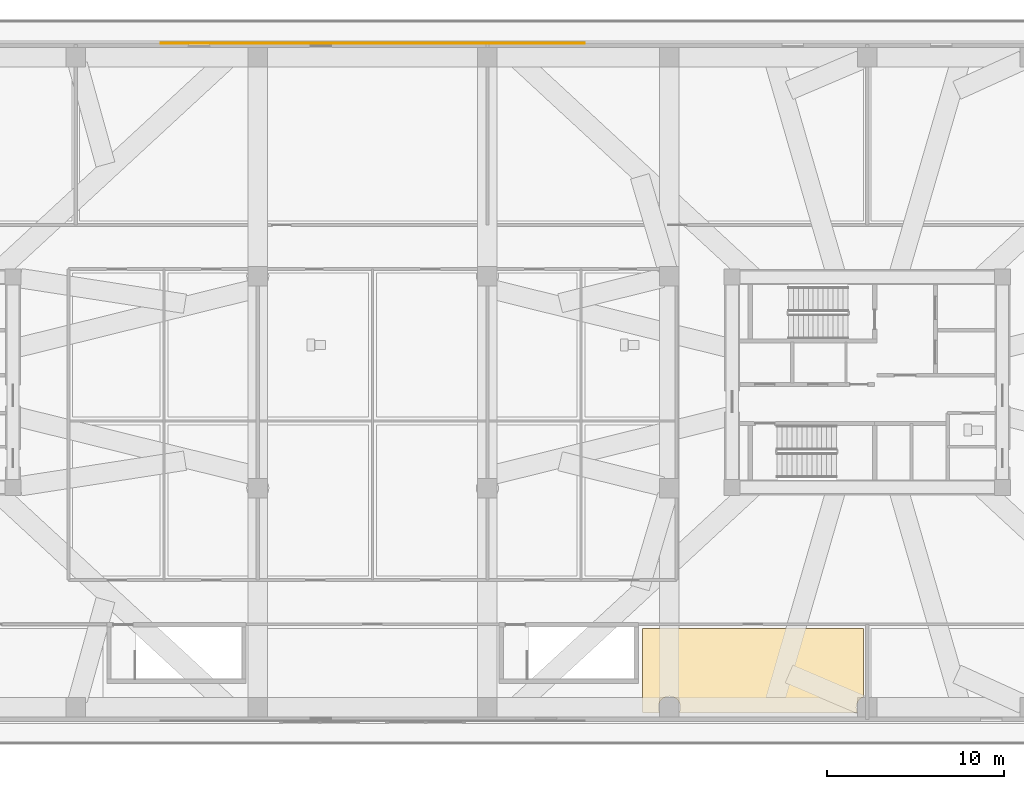
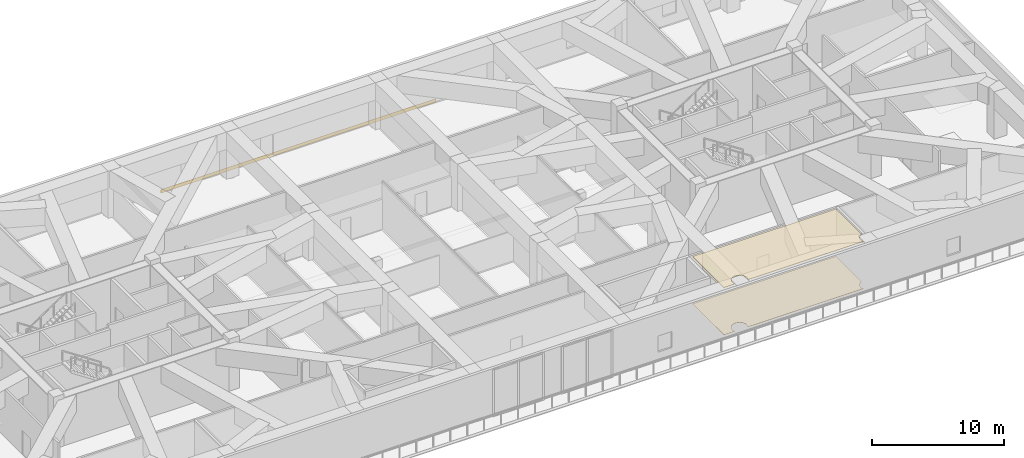
# One storey, part 18 of 21: 3 coverings.
"""IFC4 building model written with IfcOpenShell, lengths in metres."""

from ifc_helpers import new_model, si_unit, direction, frame, origin, origin_2d, place, context, subcontext, project, spatial, polyline, rectangle, outline, extrude, source, transform, mapped, material, layer, layer_set, type_object, type_shapes, element, save


model = new_model("IFC4")

# Units and contexts
model_context = context("Model", 3, precision=1e-05, world=origin(), true_north=direction((0.0, 1.0)))
body_context = subcontext(model_context, "Body", "Model", "MODEL_VIEW")
ifc_project = project(units=[si_unit("LENGTHUNIT", "METRE"), si_unit("AREAUNIT", "SQUARE_METRE"), si_unit("VOLUMEUNIT", "CUBIC_METRE"), si_unit("PLANEANGLEUNIT", "RADIAN"), si_unit("MASSUNIT", "GRAM", prefix="KILO")], contexts=[model_context])

# Site, building, storey
site_placement = place(None, origin())
site = spatial("IfcSite", under=ifc_project, at=site_placement, CompositionType="ELEMENT")
building_placement = place(site_placement, origin())
building = spatial("IfcBuilding", under=site, at=building_placement, Name="Norrkilde Senior Care Towers", CompositionType="ELEMENT")
storey_placement = place(building_placement, frame((0.0, 0.0, 16.800048828125)))
storey = spatial("IfcBuildingStorey", under=building, at=storey_placement, Name="L04", CompositionType="ELEMENT", Elevation=16.800048828125)

# Coverings
ifc_material_1 = material(Name="Nordic Ash Timber", Category="wood")
ifc_layer_1 = layer(ifc_material_1, 0.044921875)
ifc_layer_set_1 = layer_set([ifc_layer_1], Name="Nordic Ash Timber")
covering_type_1 = type_object("IfcCoveringType", Name="Acoustic Ash Timber Slatted Ceiling 45", PredefinedType="CEILING", material=ifc_layer_set_1)
covering_1_placement = place(storey_placement, frame((0.0, 0.0, 4.3349609375)))
element("IfcCovering", 1, at=covering_1_placement, inside=storey, type_object=covering_type_1, Name="L04 Suspended Ceiling 0120", PredefinedType="CEILING", context=body_context, shape_type="SweptSolid", body=[
    extrude(outline(polyline([(17.360107421875, -18.679931640625), (17.408447265625, -18.56298828125), (17.429931640625, -18.39990234375), (17.408447265625, -18.237060546875), (17.345703125, -18.0849609375), (17.245361328125, -17.95458984375), (17.114990234375, -17.8544921875), (16.963134765625, -17.79150390625), (16.800048828125, -17.77001953125), (16.636962890625, -17.79150390625), (16.485107421875, -17.8544921875), (16.3544921875, -17.95458984375), (16.25439453125, -18.0849609375), (16.19140625, -18.237060546875), (16.169921875, -18.39990234375), (16.19140625, -18.56298828125), (16.239990234375, -18.679931640625), (15.27001953125, -18.679931640625), (15.27001953125, -13.93994140625), (27.780029296875, -13.93994140625), (27.780029296875, -17.81494140625), (27.68505859375, -17.8544921875), (27.554443359375, -17.95458984375), (27.454345703125, -18.0849609375), (27.391357421875, -18.237060546875), (27.3701171875, -18.39990234375), (27.391357421875, -18.56298828125), (27.43994140625, -18.679931640625), (17.360107421875, -18.679931640625)])), origin(), (0.0, 0.0, 1.0), 0.044921875),
])
ifc_material_2 = material(Name="Slip-Resistant Porcelain Stone", Category="masonry")
ifc_layer_2 = layer(ifc_material_2, 0.02490234375)
ifc_layer_set_2 = layer_set([ifc_layer_2], Name="Slip-Resistant Porcelain Stone")
covering_type_2 = type_object("IfcCoveringType", Name="Slip-Resistant Porcelain Flooring 25", PredefinedType="FLOORING", material=ifc_layer_set_2)
covering_2_placement = place(storey_placement, origin())
element("IfcCovering", 2, at=covering_2_placement, inside=storey, type_object=covering_type_2, Name="L04 Floor Finish 0120", PredefinedType="FLOORING", context=body_context, shape_type="SweptSolid", body=[
    extrude(outline(polyline([(17.360107421875, -18.679931640625), (17.408447265625, -18.56298828125), (17.429931640625, -18.39990234375), (17.408447265625, -18.237060546875), (17.345703125, -18.0849609375), (17.245361328125, -17.95458984375), (17.114990234375, -17.8544921875), (16.963134765625, -17.79150390625), (16.800048828125, -17.77001953125), (16.636962890625, -17.79150390625), (16.485107421875, -17.8544921875), (16.3544921875, -17.95458984375), (16.25439453125, -18.0849609375), (16.19140625, -18.237060546875), (16.169921875, -18.39990234375), (16.19140625, -18.56298828125), (16.239990234375, -18.679931640625), (15.27001953125, -18.679931640625), (15.27001953125, -13.93994140625), (27.780029296875, -13.93994140625), (27.780029296875, -17.81494140625), (27.68505859375, -17.8544921875), (27.554443359375, -17.95458984375), (27.454345703125, -18.0849609375), (27.391357421875, -18.237060546875), (27.3701171875, -18.39990234375), (27.391357421875, -18.56298828125), (27.43994140625, -18.679931640625), (17.360107421875, -18.679931640625)])), origin(), (0.0, 0.0, 1.0), 0.02490234375),
])
ifc_material_3 = material(Name="Architectural Terracotta", Category="masonry")
ifc_layer_3 = layer(ifc_material_3, 0.0400390625)
ifc_layer_set_3 = layer_set([ifc_layer_3], Name="Architectural Terracotta")
covering_type_3 = type_object("IfcCoveringType", Name="Glazed Terracotta Spandrel Cladding 40", PredefinedType="CLADDING", material=ifc_layer_set_3)
shared_shape = source(origin(), body_context, "Body", "SweptSolid", [
    extrude(rectangle(XDim=24.0, YDim=0.0400390625, at=origin_2d()), origin(), (0.0, 0.0, 1.0), 0.320068359375),
])
type_shapes(covering_type_3, [shared_shape])
covering_3_placement = place(storey_placement, frame((0.0, 19.179931640625, -0.3203125), z_axis=(0.0, 0.0, 1.0), x_axis=(1.0, 0.0, 0.0)))
element("IfcCovering", 3, at=covering_3_placement, inside=storey, type_object=covering_type_3, Name="L04 N Terracotta Spandrel Band", PredefinedType="CLADDING", context=body_context, shape_type="MappedRepresentation", body=[
    mapped(shared_shape, transform((0.0, 0.0, 0.0), x_axis=(1.0, 0.0, 0.0), y_axis=(0.0, 1.0, 0.0), z_axis=(0.0, 0.0, 1.0), scale=1.0)),
])

save(model, "model.ifc")
